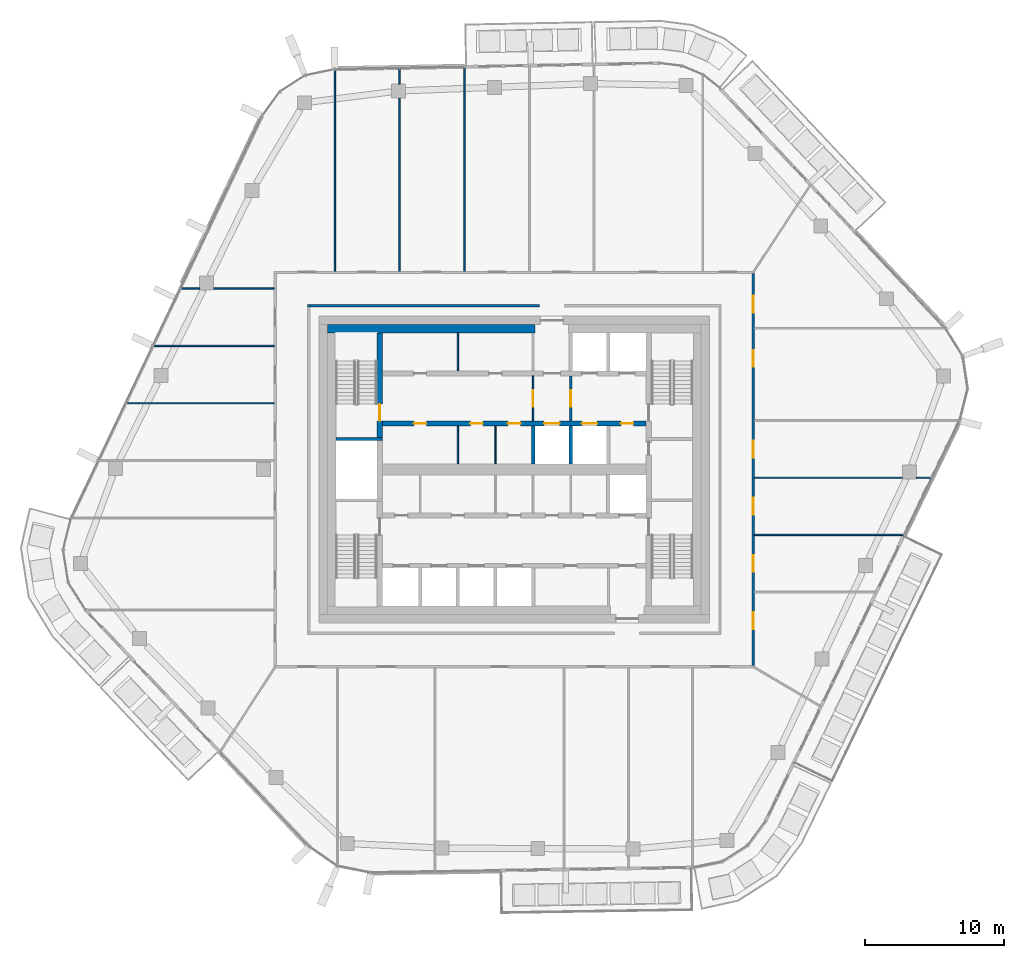
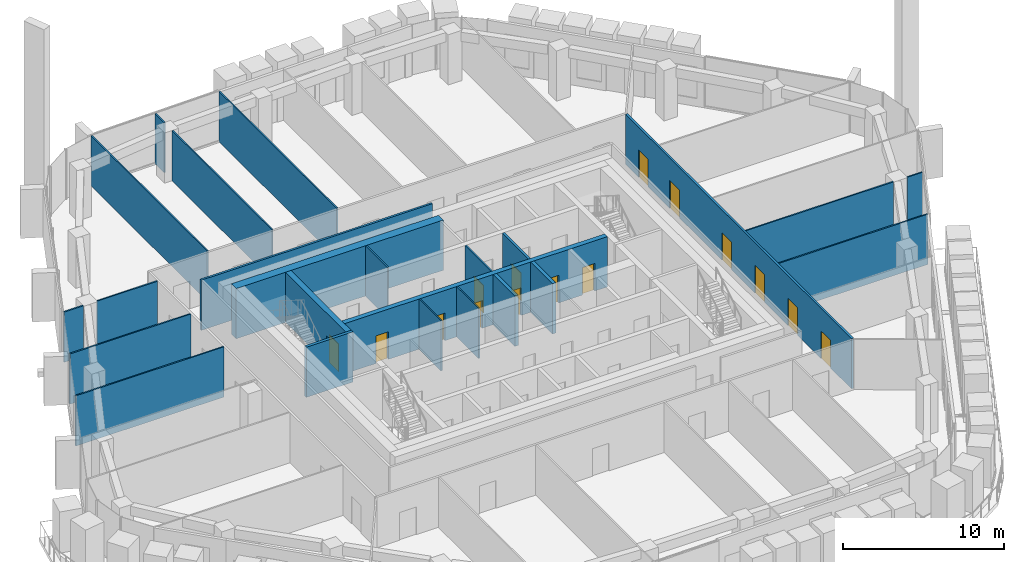
# One storey, part 15 of 24: 24 walls, 15 doors, 15 openings.
"""IFC4 building model written with IfcOpenShell, lengths in metres."""

import ifcopenshell
import ifcopenshell.guid

model = None  # the IFC model being written
_history = None  # IfcOwnerHistory: only IFC2X3 demands one
_inside = {}  # id of a spatial element -> (the spatial element, [elements in it])
_under = {}  # id of a project, library or spatial element -> (it, [spatial elements below it])
_declared = {}  # id of a project -> (the project, [libraries it declares])
_typed = {}  # id of a type object -> (the type object, [elements of that type])
_made_of = {}  # id of a material, layer set ... -> (it, [elements and type objects made of it])


def new_model(schema):
    """Start an empty IFC model of exactly this schema.

    Asked for "IFC4X3", IfcOpenShell would pick the latest addendum, in which some entities
    have other attributes; the version numbers below select the first issue.
    IFC2X3 requires an IfcOwnerHistory on every rooted entity: one is made here for all.
    """
    global model, _history
    if schema == "IFC4X3":
        model = ifcopenshell.file(schema_version=(4, 3, 0, 0))
    else:
        model = ifcopenshell.file(schema=schema)
    _inside.clear()
    _under.clear()
    _declared.clear()
    _typed.clear()
    _made_of.clear()
    _history = None
    if model.schema == "IFC2X3":
        org = make("IfcOrganization", Name="unknown")
        user = make(
            "IfcPersonAndOrganization",
            ThePerson=make("IfcPerson", FamilyName="unknown"),
            TheOrganization=org,
        )
        app = make(
            "IfcApplication",
            ApplicationDeveloper=org,
            Version="unknown",
            ApplicationFullName="unknown",
            ApplicationIdentifier="unknown",
        )
        _history = make(
            "IfcOwnerHistory",
            OwningUser=user,
            OwningApplication=app,
            ChangeAction="ADDED",
            CreationDate=0,
        )
    return model


def make(cls, **values):
    """One entity of the class cls with the attributes given. An attribute that is None is left unset."""
    return model.create_entity(
        cls, **{name: value for name, value in values.items() if value is not None}
    )


def rooted(cls, **values):
    """An entity with a GlobalId (a new one), such as an element, a storey or a relation."""
    return make(cls, GlobalId=ifcopenshell.guid.new(), OwnerHistory=_history, **values)


def si_unit(unit_type, name, prefix=None):
    """IfcSIUnit, for example si_unit("LENGTHUNIT", "METRE", prefix="MILLI")."""
    return make("IfcSIUnit", UnitType=unit_type, Prefix=prefix, Name=name)


def assignment(units):
    """IfcUnitAssignment: the units of a project."""
    return None if units is None else make("IfcUnitAssignment", Units=units)


def point(xyz):
    """IfcCartesianPoint."""
    return None if xyz is None else make("IfcCartesianPoint", Coordinates=xyz)


def direction(xyz):
    """IfcDirection."""
    return None if xyz is None else make("IfcDirection", DirectionRatios=xyz)


def frame(location, z_axis=None, x_axis=None):
    """IfcAxis2Placement3D, a coordinate frame: its origin and axes. An axis left out is left unset."""
    return make(
        "IfcAxis2Placement3D",
        Location=point(location),
        Axis=direction(z_axis),
        RefDirection=direction(x_axis),
    )


def frame_2d(location, x_axis=None):
    """IfcAxis2Placement2D, a coordinate frame in the plane: its origin and x axis."""
    return make(
        "IfcAxis2Placement2D", Location=point(location), RefDirection=direction(x_axis)
    )


def origin():
    """The frame at (0, 0, 0) with its axes left unset."""
    return frame((0.0, 0.0, 0.0))


def place(relative_to, where):
    """IfcLocalPlacement: puts the frame where relative to a parent placement (None: the world)."""
    return make(
        "IfcLocalPlacement", PlacementRelTo=relative_to, RelativePlacement=where
    )


def context(
    kind, dimensions, precision=None, world=None, true_north=None, identifier=None
):
    """IfcGeometricRepresentationContext, for example the 3D "Model" context."""
    return make(
        "IfcGeometricRepresentationContext",
        ContextIdentifier=identifier,
        ContextType=kind,
        CoordinateSpaceDimension=dimensions,
        Precision=precision,
        WorldCoordinateSystem=world,
        TrueNorth=true_north,
    )


def subcontext(parent, identifier, kind, view, scale=None):
    """IfcGeometricRepresentationSubContext, for example "Body" below "Model"."""
    return make(
        "IfcGeometricRepresentationSubContext",
        ContextIdentifier=identifier,
        ContextType=kind,
        ParentContext=parent,
        TargetScale=scale,
        TargetView=view,
    )


def project(units=None, contexts=None):
    """IfcProject with its units and contexts."""
    return rooted(
        "IfcProject",
        Name="project",
        RepresentationContexts=contexts,
        UnitsInContext=assignment(units),
    )


def spatial(cls, under=None, at=None, **own):
    """A site, building, storey or space (cls), placed at a placement, below another one or the project."""
    s = rooted(cls, ObjectPlacement=at, **own)
    if under is not None:
        _under.setdefault(under.id(), (under, []))[1].append(s)
    return s


def profile(cls, at=None, kind="AREA", **sizes):
    """A parametric profile (cls). Its sizes go by their IFC names, for example OverallWidth=200.0."""
    return make(cls, ProfileType=kind, Position=at, **sizes)


def rectangle(**sizes):
    """IfcRectangleProfileDef."""
    return profile("IfcRectangleProfileDef", **sizes)


def extrude(swept, where, along, depth):
    """IfcExtrudedAreaSolid: the profile swept, set in the frame where, extruded along a direction by depth."""
    return make(
        "IfcExtrudedAreaSolid",
        SweptArea=swept,
        Position=where,
        ExtrudedDirection=direction(along),
        Depth=depth,
    )


def shape(context_of_items, identifier, shape_type, items):
    """IfcShapeRepresentation: the items that make up one representation, for example the "Body"."""
    return make(
        "IfcShapeRepresentation",
        ContextOfItems=context_of_items,
        RepresentationIdentifier=identifier,
        RepresentationType=shape_type,
        Items=items,
    )


def material(Name=None, Category=None):
    """IfcMaterial."""
    return make("IfcMaterial", Name=Name, Category=Category)


def layer(
    of_material, thickness, ventilated=None, Name=None, Category=None, Priority=None
):
    """IfcMaterialLayer: one layer of a wall or slab, of a material (None: an air gap)."""
    return make(
        "IfcMaterialLayer",
        Material=of_material,
        LayerThickness=thickness,
        IsVentilated=ventilated,
        Name=Name,
        Category=Category,
        Priority=Priority,
    )


def layer_set(layers, Name=None):
    """IfcMaterialLayerSet."""
    return make("IfcMaterialLayerSet", MaterialLayers=layers, LayerSetName=Name)


def made_of(thing, what):
    """Note that an element or type object is made of a material, layer set ...; save() writes the relation."""
    if what is not None:
        _made_of.setdefault(what.id(), (what, []))[1].append(thing)
    return thing


def type_object(cls, material=None, **own):
    """A type object (cls), such as IfcWallType, which elements share."""
    return made_of(rooted(cls, **own), material)


def element(
    cls,
    number,
    at=None,
    inside=None,
    cuts=None,
    type_object=None,
    material=None,
    context=None,
    identifier="Body",
    shape_type=None,
    held_by="IfcProductDefinitionShape",
    body=None,
    shapes=None,
    **own,
):
    """One element of the class cls, such as IfcWall. Its Tag is "e" and its number.

    at: its placement. inside: the storey or other place that contains it. cuts: it is an
    opening in that element (IfcRelVoidsElement). A single representation is given by context,
    identifier, shape_type and body (its items); several are given by shapes. held_by: the class
    of the entity that holds the representations. save() writes the other relations.
    """
    e = rooted(cls, Tag="e%d" % number, ObjectPlacement=at, **own)
    if body is not None:
        shapes = [shape(context, identifier, shape_type, body)]
    if shapes is not None:
        e.Representation = make(held_by, Representations=shapes)
    if inside is not None:
        _inside.setdefault(inside.id(), (inside, []))[1].append(e)
    if cuts is not None:
        rooted(
            "IfcRelVoidsElement", RelatingBuildingElement=cuts, RelatedOpeningElement=e
        )
    if type_object is not None:
        _typed.setdefault(type_object.id(), (type_object, []))[1].append(e)
    return made_of(e, material)


def fill(opening, filler):
    """IfcRelFillsElement: the door or window that sits in an opening."""
    return rooted(
        "IfcRelFillsElement",
        RelatingOpeningElement=opening,
        RelatedBuildingElement=filler,
    )


def aggregate(whole, parts):
    """IfcRelAggregates: a whole, such as a stair, and the parts it consists of."""
    return rooted("IfcRelAggregates", RelatingObject=whole, RelatedObjects=parts)


def save(model, path):
    """Write the relations noted so far, then the file.

    IfcRelAggregates (storeys below a building ...), IfcRelContainedInSpatialStructure (elements
    in a storey), IfcRelDefinesByType, IfcRelAssociatesMaterial and IfcRelDeclares: one each for
    every whole, place, type object, material and project.
    """
    for whole, parts in _under.values():
        aggregate(whole, parts)
    for where, things in _inside.values():
        rooted(
            "IfcRelContainedInSpatialStructure",
            RelatedElements=things,
            RelatingStructure=where,
        )
    for kind, things in _typed.values():
        rooted("IfcRelDefinesByType", RelatedObjects=things, RelatingType=kind)
    for what, things in _made_of.values():
        rooted("IfcRelAssociatesMaterial", RelatedObjects=things, RelatingMaterial=what)
    for by, libraries in _declared.values():
        rooted("IfcRelDeclares", RelatingContext=by, RelatedDefinitions=libraries)
    model.write(path)


model = new_model("IFC4")

# Units and contexts
model_context = context("Model", 3, precision=1e-05, world=origin(), true_north=direction((0.0, 1.0)))
body_context = subcontext(model_context, "Body", "Model", "MODEL_VIEW")
ifc_project = project(units=[si_unit("LENGTHUNIT", "METRE"), si_unit("AREAUNIT", "SQUARE_METRE"), si_unit("VOLUMEUNIT", "CUBIC_METRE"), si_unit("PLANEANGLEUNIT", "RADIAN"), si_unit("MASSUNIT", "GRAM", prefix="KILO")], contexts=[model_context])

# Site, building, storey
site_placement = place(None, origin())
site = spatial("IfcSite", under=ifc_project, at=site_placement, CompositionType="ELEMENT")
building_placement = place(site_placement, origin())
building = spatial("IfcBuilding", under=site, at=building_placement, Name="Dongbaek Canopy Tower", CompositionType="ELEMENT")
storey_placement = place(building_placement, frame((0.0, 0.0, 294.199951171875)))
storey = spatial("IfcBuildingStorey", under=building, at=storey_placement, Name="L62", CompositionType="ELEMENT", Elevation=294.199951171875)

# Wall, openings, doors
ifc_material_1 = material(Name="Concrete C60/75", Category="concrete")
ifc_layer_1 = layer(ifc_material_1, 0.35009765625)
ifc_layer_set_1 = layer_set([ifc_layer_1], Name="Core lobby wall 350 Concrete C60/75")
wall_type_1 = type_object("IfcWallType", Name="Core lobby wall 350 Concrete C60/75", PredefinedType="SHEAR", material=ifc_layer_set_1)
wall_1_placement = place(storey_placement, frame((9.449951171875, 3.300048828125, 0.0), z_axis=(0.0, 0.0, 1.0), x_axis=(-1.0, 0.0, 0.0)))
wall_1 = element("IfcWall", 1, at=wall_1_placement, inside=storey, type_object=wall_type_1, Name="Core wall", PredefinedType="SHEAR", context=body_context, shape_type="SweptSolid", body=[
    extrude(rectangle(XDim=18.89990234375, YDim=0.35009765625, at=frame_2d((9.449951171875, 0.0))), origin(), (0.0, 0.0, 1.0), 3.820068359375),
])
opening_1_placement = place(wall_1_placement, frame((6.199951171875, 0.0, 0.0)))
opening_1 = element("IfcOpeningElement", 2, at=opening_1_placement, cuts=wall_1, Name="Opening L62-D031", PredefinedType="OPENING", context=body_context, shape_type="SweptSolid", body=[
    extrude(rectangle(XDim=1.10009765625, YDim=2.10009765625, at=frame_2d((0.550048828125, 1.050048828125))), frame((0.0, 0.18505859375, 0.0), z_axis=(0.0, -1.0, 0.0), x_axis=(1.0, 0.0, 0.0)), (0.0, 0.0, 1.0), 0.3701171875),
])
opening_2_placement = place(wall_1_placement, frame((3.5, 0.0, 0.0)))
opening_2 = element("IfcOpeningElement", 3, at=opening_2_placement, cuts=wall_1, Name="Opening L62-D032", PredefinedType="OPENING", context=body_context, shape_type="SweptSolid", body=[
    extrude(rectangle(XDim=1.10009765625, YDim=2.10009765625, at=frame_2d((0.550048828125, 1.050048828125))), frame((0.0, 0.18505859375, 0.0), z_axis=(0.0, -1.0, 0.0), x_axis=(1.0, 0.0, 0.0)), (0.0, 0.0, 1.0), 0.3701171875),
])
opening_3_placement = place(wall_1_placement, frame((0.89990234375, 0.0, 0.0)))
opening_3 = element("IfcOpeningElement", 4, at=opening_3_placement, cuts=wall_1, Name="Opening L62-D033", PredefinedType="OPENING", context=body_context, shape_type="SweptSolid", body=[
    extrude(rectangle(XDim=0.89990234375, YDim=2.10009765625, at=frame_2d((0.449951171875, 1.050048828125))), frame((0.0, 0.18505859375, 0.0), z_axis=(0.0, -1.0, 0.0), x_axis=(1.0, 0.0, 0.0)), (0.0, 0.0, 1.0), 0.3701171875),
])
opening_4_placement = place(wall_1_placement, frame((15.75, 0.0, 0.0)))
opening_4 = element("IfcOpeningElement", 5, at=opening_4_placement, cuts=wall_1, Name="Opening L62-D043", PredefinedType="OPENING", context=body_context, shape_type="SweptSolid", body=[
    extrude(rectangle(XDim=0.89990234375, YDim=2.10009765625, at=frame_2d((0.449951171875, 1.050048828125))), frame((0.0, 0.18505859375, 0.0), z_axis=(0.0, -1.0, 0.0), x_axis=(1.0, 0.0, 0.0)), (0.0, 0.0, 1.0), 0.3701171875),
])
opening_5_placement = place(wall_1_placement, frame((11.699951171875, 0.0, 0.0)))
opening_5 = element("IfcOpeningElement", 6, at=opening_5_placement, cuts=wall_1, Name="Opening L62-D044", PredefinedType="OPENING", context=body_context, shape_type="SweptSolid", body=[
    extrude(rectangle(XDim=0.89990234375, YDim=2.10009765625, at=frame_2d((0.449951171875, 1.050048828125))), frame((0.0, 0.18505859375, 0.0), z_axis=(0.0, -1.0, 0.0), x_axis=(1.0, 0.0, 0.0)), (0.0, 0.0, 1.0), 0.3701171875),
])
opening_6_placement = place(wall_1_placement, frame((9.0, 0.0, 0.0)))
opening_6 = element("IfcOpeningElement", 7, at=opening_6_placement, cuts=wall_1, Name="Opening L62-D045", PredefinedType="OPENING", context=body_context, shape_type="SweptSolid", body=[
    extrude(rectangle(XDim=0.89990234375, YDim=2.10009765625, at=frame_2d((0.449951171875, 1.050048828125))), frame((0.0, 0.18505859375, 0.0), z_axis=(0.0, -1.0, 0.0), x_axis=(1.0, 0.0, 0.0)), (0.0, 0.0, 1.0), 0.3701171875),
])
ifc_material_2 = material(Name="Steel", Category="steel")
door_type_1 = type_object("IfcDoorType", Name="Core room door 900 x 2100", OperationType="SINGLE_SWING_LEFT", PredefinedType="DOOR", material=ifc_material_2)
door_1_placement = place(opening_3_placement, origin())
door_1 = element("IfcDoor", 8, at=door_1_placement, inside=storey, type_object=door_type_1, Name="Door L62-D033", OperationType="SINGLE_SWING_LEFT", OverallHeight=2.10009765625, OverallWidth=0.89990234375, PredefinedType="DOOR", context=body_context, shape_type="SweptSolid", body=[
    extrude(rectangle(XDim=0.89990234375, YDim=2.10009765625, at=frame_2d((0.449951171875, 1.050048828125))), frame((0.0, 0.02490234375, 0.0), z_axis=(0.0, -1.0, 0.0), x_axis=(1.0, 0.0, 0.0)), (0.0, 0.0, 1.0), 0.050048828125),
])
fill(opening_3, door_1)
door_2_placement = place(opening_4_placement, origin())
door_2 = element("IfcDoor", 9, at=door_2_placement, inside=storey, type_object=door_type_1, Name="Door L62-D043", OperationType="SINGLE_SWING_RIGHT", OverallHeight=2.10009765625, OverallWidth=0.89990234375, PredefinedType="DOOR", context=body_context, shape_type="SweptSolid", body=[
    extrude(rectangle(XDim=0.89990234375, YDim=2.10009765625, at=frame_2d((0.449951171875, 1.050048828125))), frame((0.0, 0.02490234375, 0.0), z_axis=(0.0, -1.0, 0.0), x_axis=(1.0, 0.0, 0.0)), (0.0, 0.0, 1.0), 0.050048828125),
])
fill(opening_4, door_2)
door_3_placement = place(opening_5_placement, origin())
door_3 = element("IfcDoor", 10, at=door_3_placement, inside=storey, type_object=door_type_1, Name="Door L62-D044", OperationType="SINGLE_SWING_LEFT", OverallHeight=2.10009765625, OverallWidth=0.89990234375, PredefinedType="DOOR", context=body_context, shape_type="SweptSolid", body=[
    extrude(rectangle(XDim=0.89990234375, YDim=2.10009765625, at=frame_2d((0.449951171875, 1.050048828125))), frame((0.0, 0.02490234375, 0.0), z_axis=(0.0, -1.0, 0.0), x_axis=(1.0, 0.0, 0.0)), (0.0, 0.0, 1.0), 0.050048828125),
])
fill(opening_5, door_3)
door_4_placement = place(opening_6_placement, origin())
door_4 = element("IfcDoor", 11, at=door_4_placement, inside=storey, type_object=door_type_1, Name="Door L62-D045", OperationType="SINGLE_SWING_RIGHT", OverallHeight=2.10009765625, OverallWidth=0.89990234375, PredefinedType="DOOR", context=body_context, shape_type="SweptSolid", body=[
    extrude(rectangle(XDim=0.89990234375, YDim=2.10009765625, at=frame_2d((0.449951171875, 1.050048828125))), frame((0.0, 0.02490234375, 0.0), z_axis=(0.0, -1.0, 0.0), x_axis=(1.0, 0.0, 0.0)), (0.0, 0.0, 1.0), 0.050048828125),
])
fill(opening_6, door_4)
ifc_material_3 = material(Name="Stainless steel", Category="steel")
door_type_2 = type_object("IfcDoorType", Name="Lift landing door 1100 x 2100", OperationType="DOUBLE_DOOR_SLIDING", PredefinedType="DOOR", material=ifc_material_3)
door_5_placement = place(opening_1_placement, origin())
door_5 = element("IfcDoor", 12, at=door_5_placement, inside=storey, type_object=door_type_2, Name="Landing door SV1", OperationType="DOUBLE_DOOR_SLIDING", OverallHeight=2.10009765625, OverallWidth=1.10009765625, PredefinedType="DOOR", context=body_context, shape_type="SweptSolid", body=[
    extrude(rectangle(XDim=1.10009765625, YDim=2.10009765625, at=frame_2d((0.550048828125, 1.050048828125))), frame((0.0, 0.02490234375, 0.0), z_axis=(0.0, -1.0, 0.0), x_axis=(1.0, 0.0, 0.0)), (0.0, 0.0, 1.0), 0.050048828125),
])
fill(opening_1, door_5)
door_6_placement = place(opening_2_placement, origin())
door_6 = element("IfcDoor", 13, at=door_6_placement, inside=storey, type_object=door_type_2, Name="Landing door FF3", OperationType="DOUBLE_DOOR_SLIDING", OverallHeight=2.10009765625, OverallWidth=1.10009765625, PredefinedType="DOOR", context=body_context, shape_type="SweptSolid", body=[
    extrude(rectangle(XDim=1.10009765625, YDim=2.10009765625, at=frame_2d((0.550048828125, 1.050048828125))), frame((0.0, 0.02490234375, 0.0), z_axis=(0.0, -1.0, 0.0), x_axis=(1.0, 0.0, 0.0)), (0.0, 0.0, 1.0), 0.050048828125),
])
fill(opening_2, door_6)

# Walls
ifc_material_4 = material(Name="Concrete C60/75", Category="concrete")
ifc_layer_2 = layer(ifc_material_4, 0.60009765625)
ifc_layer_set_2 = layer_set([ifc_layer_2], Name="Core wall lining 600 Concrete C60/75")
wall_type_2 = type_object("IfcWallType", Name="Core wall lining 600 Concrete C60/75", PredefinedType="SHEAR", material=ifc_layer_set_2)
wall_2_placement = place(storey_placement, frame((-13.39990234375, 10.10009765625, 0.0), z_axis=(0.0, 0.0, 1.0), x_axis=(1.0, 0.0, 0.0)))
element("IfcWall", 14, at=wall_2_placement, inside=storey, type_object=wall_type_2, Name="Core wall lining", PredefinedType="SHEAR", context=body_context, shape_type="SweptSolid", body=[
    extrude(rectangle(XDim=14.89990234375, YDim=0.60009765625, at=frame_2d((7.449951171875, 0.0))), origin(), (0.0, 0.0, 1.0), 3.820068359375),
])
ifc_material_5 = material(Name="Gypsum board partition, steel stud, 2 x 15 mm fire board", Category="steel")
ifc_layer_3 = layer(ifc_material_5, 0.14990234375)
ifc_layer_set_3 = layer_set([ifc_layer_3], Name="Fire-rated partition 150 gypsum board")
wall_type_3 = type_object("IfcWallType", Name="Fire-rated partition 150 gypsum board", PredefinedType="PARTITIONING", material=ifc_layer_set_3)
wall_3_placement = place(storey_placement, frame((-14.824951171875, 11.75, 0.0), z_axis=(0.0, 0.0, 1.0), x_axis=(1.0, 0.0, 0.0)))
element("IfcWall", 15, at=wall_3_placement, inside=storey, type_object=wall_type_3, Name="Corridor partition", PredefinedType="PARTITIONING", context=body_context, shape_type="SweptSolid", body=[
    extrude(rectangle(XDim=16.625, YDim=0.14990234375, at=frame_2d((8.3125, 0.0))), origin(), (0.0, 0.0, 1.0), 3.820068359375),
])

# Wall, openings, doors
wall_4_placement = place(storey_placement, frame((17.14990234375, 14.074951171875, 0.0), z_axis=(0.0, 0.0, 1.0), x_axis=(0.0, -1.0, 0.0)))
wall_4 = element("IfcWall", 16, at=wall_4_placement, inside=storey, type_object=wall_type_3, Name="Corridor partition", PredefinedType="PARTITIONING", context=body_context, shape_type="SweptSolid", body=[
    extrude(rectangle(XDim=28.14990234375, YDim=0.14990234375, at=frame_2d((14.074951171875, 0.0))), origin(), (0.0, 0.0, 1.0), 3.820068359375),
])
opening_7_placement = place(wall_4_placement, frame((24.325927734375, 0.0, 0.0)))
opening_7 = element("IfcOpeningElement", 17, at=opening_7_placement, cuts=wall_4, Name="Opening L62-D010", PredefinedType="OPENING", context=body_context, shape_type="SweptSolid", body=[
    extrude(rectangle(XDim=1.199951171875, YDim=2.10009765625, at=frame_2d((0.60009765625, 1.050048828125))), frame((0.0, 0.0849609375, 0.0), z_axis=(0.0, -1.0, 0.0), x_axis=(1.0, 0.0, 0.0)), (0.0, 0.0, 1.0), 0.169921875),
])
opening_8_placement = place(wall_4_placement, frame((20.219970703125, 0.0, 0.0)))
opening_8 = element("IfcOpeningElement", 18, at=opening_8_placement, cuts=wall_4, Name="Opening L62-D011", PredefinedType="OPENING", context=body_context, shape_type="SweptSolid", body=[
    extrude(rectangle(XDim=1.199951171875, YDim=2.10009765625, at=frame_2d((0.60009765625, 1.050048828125))), frame((0.0, 0.0849609375, 0.0), z_axis=(0.0, -1.0, 0.0), x_axis=(1.0, 0.0, 0.0)), (0.0, 0.0, 1.0), 0.169921875),
])
opening_9_placement = place(wall_4_placement, frame((16.114013671875, 0.0, 0.0)))
opening_9 = element("IfcOpeningElement", 19, at=opening_9_placement, cuts=wall_4, Name="Opening L62-D012", PredefinedType="OPENING", context=body_context, shape_type="SweptSolid", body=[
    extrude(rectangle(XDim=1.199951171875, YDim=2.10009765625, at=frame_2d((0.60009765625, 1.050048828125))), frame((0.0, 0.0849609375, 0.0), z_axis=(0.0, -1.0, 0.0), x_axis=(1.0, 0.0, 0.0)), (0.0, 0.0, 1.0), 0.169921875),
])
opening_10_placement = place(wall_4_placement, frame((12.012451171875, 0.0, 0.0)))
opening_10 = element("IfcOpeningElement", 20, at=opening_10_placement, cuts=wall_4, Name="Opening L62-D013", PredefinedType="OPENING", context=body_context, shape_type="SweptSolid", body=[
    extrude(rectangle(XDim=1.199951171875, YDim=2.10009765625, at=frame_2d((0.60009765625, 1.050048828125))), frame((0.0, 0.0849609375, 0.0), z_axis=(0.0, -1.0, 0.0), x_axis=(1.0, 0.0, 0.0)), (0.0, 0.0, 1.0), 0.169921875),
])
opening_11_placement = place(wall_4_placement, frame((5.50439453125, 0.0, 0.0)))
opening_11 = element("IfcOpeningElement", 21, at=opening_11_placement, cuts=wall_4, Name="Opening L62-D014", PredefinedType="OPENING", context=body_context, shape_type="SweptSolid", body=[
    extrude(rectangle(XDim=1.199951171875, YDim=2.10009765625, at=frame_2d((0.60009765625, 1.050048828125))), frame((0.0, 0.0849609375, 0.0), z_axis=(0.0, -1.0, 0.0), x_axis=(1.0, 0.0, 0.0)), (0.0, 0.0, 1.0), 0.169921875),
])
opening_12_placement = place(wall_4_placement, frame((1.6220703125, 0.0, 0.0)))
opening_12 = element("IfcOpeningElement", 22, at=opening_12_placement, cuts=wall_4, Name="Opening L62-D015", PredefinedType="OPENING", context=body_context, shape_type="SweptSolid", body=[
    extrude(rectangle(XDim=1.199951171875, YDim=2.10009765625, at=frame_2d((0.60009765625, 1.050048828125))), frame((0.0, 0.0849609375, 0.0), z_axis=(0.0, -1.0, 0.0), x_axis=(1.0, 0.0, 0.0)), (0.0, 0.0, 1.0), 0.169921875),
])
ifc_material_6 = material(Name="Timber veneered door leaf", Category="wood")
door_type_3 = type_object("IfcDoorType", Name="Room door 1200 x 2100", OperationType="SINGLE_SWING_LEFT", PredefinedType="DOOR", material=ifc_material_6)
door_7_placement = place(opening_7_placement, origin())
door_7 = element("IfcDoor", 23, at=door_7_placement, inside=storey, type_object=door_type_3, Name="Door L62-D010", OperationType="SINGLE_SWING_LEFT", OverallHeight=2.10009765625, OverallWidth=1.199951171875, PredefinedType="DOOR", context=body_context, shape_type="SweptSolid", body=[
    extrude(rectangle(XDim=1.199951171875, YDim=2.10009765625, at=frame_2d((0.60009765625, 1.050048828125))), frame((0.0, 0.02490234375, 0.0), z_axis=(0.0, -1.0, 0.0), x_axis=(1.0, 0.0, 0.0)), (0.0, 0.0, 1.0), 0.050048828125),
])
fill(opening_7, door_7)
door_8_placement = place(opening_8_placement, origin())
door_8 = element("IfcDoor", 24, at=door_8_placement, inside=storey, type_object=door_type_3, Name="Door L62-D011", OperationType="SINGLE_SWING_RIGHT", OverallHeight=2.10009765625, OverallWidth=1.199951171875, PredefinedType="DOOR", context=body_context, shape_type="SweptSolid", body=[
    extrude(rectangle(XDim=1.199951171875, YDim=2.10009765625, at=frame_2d((0.60009765625, 1.050048828125))), frame((0.0, 0.02490234375, 0.0), z_axis=(0.0, -1.0, 0.0), x_axis=(1.0, 0.0, 0.0)), (0.0, 0.0, 1.0), 0.050048828125),
])
fill(opening_8, door_8)
door_9_placement = place(opening_9_placement, origin())
door_9 = element("IfcDoor", 25, at=door_9_placement, inside=storey, type_object=door_type_3, Name="Door L62-D012", OperationType="SINGLE_SWING_LEFT", OverallHeight=2.10009765625, OverallWidth=1.199951171875, PredefinedType="DOOR", context=body_context, shape_type="SweptSolid", body=[
    extrude(rectangle(XDim=1.199951171875, YDim=2.10009765625, at=frame_2d((0.60009765625, 1.050048828125))), frame((0.0, 0.02490234375, 0.0), z_axis=(0.0, -1.0, 0.0), x_axis=(1.0, 0.0, 0.0)), (0.0, 0.0, 1.0), 0.050048828125),
])
fill(opening_9, door_9)
door_10_placement = place(opening_10_placement, origin())
door_10 = element("IfcDoor", 26, at=door_10_placement, inside=storey, type_object=door_type_3, Name="Door L62-D013", OperationType="SINGLE_SWING_RIGHT", OverallHeight=2.10009765625, OverallWidth=1.199951171875, PredefinedType="DOOR", context=body_context, shape_type="SweptSolid", body=[
    extrude(rectangle(XDim=1.199951171875, YDim=2.10009765625, at=frame_2d((0.60009765625, 1.050048828125))), frame((0.0, 0.02490234375, 0.0), z_axis=(0.0, -1.0, 0.0), x_axis=(1.0, 0.0, 0.0)), (0.0, 0.0, 1.0), 0.050048828125),
])
fill(opening_10, door_10)
door_11_placement = place(opening_11_placement, origin())
door_11 = element("IfcDoor", 27, at=door_11_placement, inside=storey, type_object=door_type_3, Name="Door L62-D014", OperationType="SINGLE_SWING_LEFT", OverallHeight=2.10009765625, OverallWidth=1.199951171875, PredefinedType="DOOR", context=body_context, shape_type="SweptSolid", body=[
    extrude(rectangle(XDim=1.199951171875, YDim=2.10009765625, at=frame_2d((0.60009765625, 1.050048828125))), frame((0.0, 0.02490234375, 0.0), z_axis=(0.0, -1.0, 0.0), x_axis=(1.0, 0.0, 0.0)), (0.0, 0.0, 1.0), 0.050048828125),
])
fill(opening_11, door_11)
door_12_placement = place(opening_12_placement, origin())
door_12 = element("IfcDoor", 28, at=door_12_placement, inside=storey, type_object=door_type_3, Name="Door L62-D015", OperationType="SINGLE_SWING_RIGHT", OverallHeight=2.10009765625, OverallWidth=1.199951171875, PredefinedType="DOOR", context=body_context, shape_type="SweptSolid", body=[
    extrude(rectangle(XDim=1.199951171875, YDim=2.10009765625, at=frame_2d((0.60009765625, 1.050048828125))), frame((0.0, 0.02490234375, 0.0), z_axis=(0.0, -1.0, 0.0), x_axis=(1.0, 0.0, 0.0)), (0.0, 0.0, 1.0), 0.050048828125),
])
fill(opening_12, door_12)

# Wall, opening, door
wall_5_placement = place(storey_placement, frame((4.050048828125, 6.72509765625, 0.0), z_axis=(0.0, 0.0, 1.0), x_axis=(0.0, -1.0, 0.0)))
wall_5 = element("IfcWall", 29, at=wall_5_placement, inside=storey, type_object=wall_type_3, Name="Fire lobby partition", PredefinedType="PARTITIONING", context=body_context, shape_type="SweptSolid", body=[
    extrude(rectangle(XDim=3.25, YDim=0.14990234375, at=frame_2d((1.625, 0.0))), origin(), (0.0, 0.0, 1.0), 3.820068359375),
])
opening_13_placement = place(wall_5_placement, frame((1.02490234375, 0.0, 0.0)))
opening_13 = element("IfcOpeningElement", 30, at=opening_13_placement, cuts=wall_5, Name="Opening L62-D057", PredefinedType="OPENING", context=body_context, shape_type="SweptSolid", body=[
    extrude(rectangle(XDim=1.199951171875, YDim=2.10009765625, at=frame_2d((0.60009765625, 1.050048828125))), frame((0.0, 0.0849609375, 0.0), z_axis=(0.0, -1.0, 0.0), x_axis=(1.0, 0.0, 0.0)), (0.0, 0.0, 1.0), 0.169921875),
])
ifc_material_7 = material(Name="Steel", Category="steel")
door_type_4 = type_object("IfcDoorType", Name="Fire lobby door 1200 x 2100", OperationType="SINGLE_SWING_LEFT", PredefinedType="DOOR", material=ifc_material_7)
door_13_placement = place(opening_13_placement, origin())
door_13 = element("IfcDoor", 31, at=door_13_placement, inside=storey, type_object=door_type_4, Name="Door L62-D057", OperationType="SINGLE_SWING_RIGHT", OverallHeight=2.10009765625, OverallWidth=1.199951171875, PredefinedType="DOOR", context=body_context, shape_type="SweptSolid", body=[
    extrude(rectangle(XDim=1.199951171875, YDim=2.10009765625, at=frame_2d((0.60009765625, 1.050048828125))), frame((0.0, 0.02490234375, 0.0), z_axis=(0.0, -1.0, 0.0), x_axis=(1.0, 0.0, 0.0)), (0.0, 0.0, 1.0), 0.050048828125),
])
fill(opening_13, door_13)

# Walls
ifc_material_8 = material(Name="Concrete C40/50", Category="concrete")
ifc_layer_4 = layer(ifc_material_8, 0.25)
ifc_layer_set_4 = layer_set([ifc_layer_4], Name="Lift shaft wall 250 Concrete C40/50")
wall_type_4 = type_object("IfcWallType", Name="Lift shaft wall 250 Concrete C40/50", PredefinedType="SOLIDWALL", material=ifc_layer_set_4)
for number, where, z_axis, x_axis, name in (
    (32, (4.050048828125, 0.39990234375, 0.0), (0.0, 0.0, 1.0), (0.0, 1.0, 0.0), "Lift shaft wall"),
    (33, (1.35009765625, 0.39990234375, 0.0), (0.0, 0.0, 1.0), (0.0, 1.0, 0.0), "Lift shaft wall"),
):
    element("IfcWall", number, at=place(storey_placement, frame(where, z_axis=z_axis, x_axis=x_axis)), inside=storey, type_object=wall_type_4, Name=name, PredefinedType="SOLIDWALL", context=body_context, shape_type="SweptSolid", body=[
        extrude(rectangle(XDim=2.72509765625, YDim=0.25, at=frame_2d((1.362548828125, 0.0))), origin(), (0.0, 0.0, 1.0), 3.820068359375),
    ])
ifc_material_9 = material(Name="Gypsum board partition, steel stud, 2 x 12.5 mm board", Category="steel")
ifc_layer_5 = layer(ifc_material_9, 0.10009765625)
ifc_layer_set_5 = layer_set([ifc_layer_5], Name="Partition 100 gypsum board")
wall_type_5 = type_object("IfcWallType", Name="Partition 100 gypsum board", PredefinedType="PARTITIONING", material=ifc_layer_set_5)
wall_6_placement = place(storey_placement, frame((17.22509765625, -4.69189453125, 0.0), z_axis=(0.0, 0.0, 1.0), x_axis=(1.0, 0.0, 0.0)))
element("IfcWall", 34, at=wall_6_placement, inside=storey, type_object=wall_type_5, Name="Partition", PredefinedType="PARTITIONING", context=body_context, shape_type="SweptSolid", body=[
    extrude(rectangle(XDim=10.723388671875, YDim=0.10009765625, at=frame_2d((5.36181640625, 0.0))), origin(), (0.0, 0.0, 1.0), 3.820068359375),
])
wall_7_placement = place(storey_placement, frame((17.22509765625, -0.5859375, 0.0), z_axis=(0.0, 0.0, 1.0), x_axis=(1.0, 0.0, 0.0)))
element("IfcWall", 35, at=wall_7_placement, inside=storey, type_object=wall_type_5, Name="Partition", PredefinedType="PARTITIONING", context=body_context, shape_type="SweptSolid", body=[
    extrude(rectangle(XDim=10.6259765625, YDim=0.10009765625, at=frame_2d((5.31298828125, 0.0))), origin(), (0.0, 0.0, 1.0), 3.820068359375),
])
wall_8_placement = place(storey_placement, frame((28.85107421875, -0.5859375, 0.0), z_axis=(0.0, 0.0, 1.0), x_axis=(1.0, 0.0, 0.0)))
element("IfcWall", 36, at=wall_8_placement, inside=storey, type_object=wall_type_5, Name="Partition", PredefinedType="PARTITIONING", context=body_context, shape_type="SweptSolid", body=[
    extrude(rectangle(XDim=1.0859375, YDim=0.10009765625, at=frame_2d((0.54296875, 0.0))), origin(), (0.0, 0.0, 1.0), 3.820068359375),
])
wall_9_placement = place(storey_placement, frame((-27.86669921875, 4.7548828125, 0.0), z_axis=(0.0, 0.0, 1.0), x_axis=(1.0, 0.0, 0.0)))
element("IfcWall", 37, at=wall_9_placement, inside=storey, type_object=wall_type_5, Name="Partition", PredefinedType="PARTITIONING", context=body_context, shape_type="SweptSolid", body=[
    extrude(rectangle(XDim=10.6416015625, YDim=0.10009765625, at=frame_2d((5.32080078125, 0.0))), origin(), (0.0, 0.0, 1.0), 3.820068359375),
])
wall_10_placement = place(storey_placement, frame((-25.909423828125, 8.875, 0.0), z_axis=(0.0, 0.0, 1.0), x_axis=(1.0, 0.0, 0.0)))
element("IfcWall", 38, at=wall_10_placement, inside=storey, type_object=wall_type_5, Name="Partition", PredefinedType="PARTITIONING", context=body_context, shape_type="SweptSolid", body=[
    extrude(rectangle(XDim=8.684326171875, YDim=0.10009765625, at=frame_2d((4.34228515625, 0.0))), origin(), (0.0, 0.0, 1.0), 3.820068359375),
])
wall_11_placement = place(storey_placement, frame((-23.9521484375, 12.9951171875, 0.0), z_axis=(0.0, 0.0, 1.0), x_axis=(1.0, 0.0, 0.0)))
element("IfcWall", 39, at=wall_11_placement, inside=storey, type_object=wall_type_5, Name="Partition", PredefinedType="PARTITIONING", context=body_context, shape_type="SweptSolid", body=[
    extrude(rectangle(XDim=1.376220703125, YDim=0.10009765625, at=frame_2d((0.68798828125, 0.0))), origin(), (0.0, 0.0, 1.0), 3.820068359375),
])
wall_12_placement = place(storey_placement, frame((-21.575927734375, 12.9951171875, 0.0), z_axis=(0.0, 0.0, 1.0), x_axis=(1.0, 0.0, 0.0)))
element("IfcWall", 40, at=wall_12_placement, inside=storey, type_object=wall_type_5, Name="Partition", PredefinedType="PARTITIONING", context=body_context, shape_type="SweptSolid", body=[
    extrude(rectangle(XDim=4.350830078125, YDim=0.10009765625, at=frame_2d((2.17529296875, 0.0))), origin(), (0.0, 0.0, 1.0), 3.820068359375),
])
wall_13_placement = place(storey_placement, frame((-3.574951171875, 14.22509765625, 0.0), z_axis=(0.0, 0.0, 1.0), x_axis=(0.0, 1.0, 0.0)))
element("IfcWall", 41, at=wall_13_placement, inside=storey, type_object=wall_type_5, Name="Partition", PredefinedType="PARTITIONING", context=body_context, shape_type="SweptSolid", body=[
    extrude(rectangle(XDim=14.651611328125, YDim=0.10009765625, at=frame_2d((7.32568359375, 0.0))), origin(), (0.0, 0.0, 1.0), 3.820068359375),
])
wall_14_placement = place(storey_placement, frame((-8.22998046875, 14.22509765625, 0.0), z_axis=(0.0, 0.0, 1.0), x_axis=(0.0, 1.0, 0.0)))
element("IfcWall", 42, at=wall_14_placement, inside=storey, type_object=wall_type_5, Name="Partition", PredefinedType="PARTITIONING", context=body_context, shape_type="SweptSolid", body=[
    extrude(rectangle(XDim=12.43896484375, YDim=0.10009765625, at=frame_2d((6.219482421875, 0.0))), origin(), (0.0, 0.0, 1.0), 3.820068359375),
])
wall_15_placement = place(storey_placement, frame((-8.22998046875, 27.6640625, 0.0), z_axis=(0.0, 0.0, 1.0), x_axis=(0.0, 1.0, 0.0)))
element("IfcWall", 43, at=wall_15_placement, inside=storey, type_object=wall_type_5, Name="Partition", PredefinedType="PARTITIONING", context=body_context, shape_type="SweptSolid", body=[
    extrude(rectangle(XDim=1.124755859375, YDim=0.10009765625, at=frame_2d((0.5625, 0.0))), origin(), (0.0, 0.0, 1.0), 3.820068359375),
])
wall_16_placement = place(storey_placement, frame((-12.875, 14.22509765625, 0.0), z_axis=(0.0, 0.0, 1.0), x_axis=(0.0, 1.0, 0.0)))
element("IfcWall", 44, at=wall_16_placement, inside=storey, type_object=wall_type_5, Name="Partition", PredefinedType="PARTITIONING", context=body_context, shape_type="SweptSolid", body=[
    extrude(rectangle(XDim=14.475341796875, YDim=0.10009765625, at=frame_2d((7.23779296875, 0.0))), origin(), (0.0, 0.0, 1.0), 3.820068359375),
])

# Wall, opening, door
wall_17_placement = place(storey_placement, frame((1.35009765625, 6.72509765625, 0.0), z_axis=(0.0, 0.0, 1.0), x_axis=(0.0, -1.0, 0.0)))
wall_17 = element("IfcWall", 45, at=wall_17_placement, inside=storey, type_object=wall_type_5, Name="Core partition", PredefinedType="PARTITIONING", context=body_context, shape_type="SweptSolid", body=[
    extrude(rectangle(XDim=3.25, YDim=0.10009765625, at=frame_2d((1.625, 0.0))), origin(), (0.0, 0.0, 1.0), 3.820068359375),
])
opening_14_placement = place(wall_17_placement, frame((1.02490234375, 0.0, 0.0)))
opening_14 = element("IfcOpeningElement", 46, at=opening_14_placement, cuts=wall_17, Name="Opening L62-D056", PredefinedType="OPENING", context=body_context, shape_type="SweptSolid", body=[
    extrude(rectangle(XDim=1.199951171875, YDim=2.10009765625, at=frame_2d((0.60009765625, 1.050048828125))), frame((0.0, 0.06005859375, 0.0), z_axis=(0.0, -1.0, 0.0), x_axis=(1.0, 0.0, 0.0)), (0.0, 0.0, 1.0), 0.1201171875),
])
door_14_placement = place(opening_14_placement, origin())
door_14 = element("IfcDoor", 47, at=door_14_placement, inside=storey, type_object=door_type_4, Name="Door L62-D056", OperationType="SINGLE_SWING_LEFT", OverallHeight=2.10009765625, OverallWidth=1.199951171875, PredefinedType="DOOR", context=body_context, shape_type="SweptSolid", body=[
    extrude(rectangle(XDim=1.199951171875, YDim=2.10009765625, at=frame_2d((0.60009765625, 1.050048828125))), frame((0.0, 0.02490234375, 0.0), z_axis=(0.0, -1.0, 0.0), x_axis=(1.0, 0.0, 0.0)), (0.0, 0.0, 1.0), 0.050048828125),
])
fill(opening_14, door_14)

# Walls
for number, where, z_axis, x_axis, name in (
    (48, (-1.35009765625, 0.39990234375, 0.0), (0.0, 0.0, 1.0), (0.0, 1.0, 0.0), "Core partition"),
    (49, (-4.050048828125, 0.39990234375, 0.0), (0.0, 0.0, 1.0), (0.0, 1.0, 0.0), "Core partition"),
    (50, (-4.050048828125, 7.074951171875, 0.0), (0.0, 0.0, 1.0), (0.0, 1.0, 0.0), "Core partition"),
):
    element("IfcWall", number, at=place(storey_placement, frame(where, z_axis=z_axis, x_axis=x_axis)), inside=storey, type_object=wall_type_5, Name=name, PredefinedType="PARTITIONING", context=body_context, shape_type="SweptSolid", body=[
        extrude(rectangle(XDim=2.72509765625, YDim=0.10009765625, at=frame_2d((1.362548828125, 0.0))), origin(), (0.0, 0.0, 1.0), 3.820068359375),
    ])
ifc_material_10 = material(Name="Concrete C60/75", Category="concrete")
ifc_layer_6 = layer(ifc_material_10, 0.199951171875)
ifc_layer_set_6 = layer_set([ifc_layer_6], Name="Riser wall 200 Concrete C60/75")
wall_type_6 = type_object("IfcWallType", Name="Riser wall 200 Concrete C60/75", PredefinedType="SHEAR", material=ifc_layer_set_6)
wall_18_placement = place(storey_placement, frame((-9.449951171875, 2.199951171875, 0.0), z_axis=(0.0, 0.0, 1.0), x_axis=(-1.0, 0.0, 0.0)))
element("IfcWall", 51, at=wall_18_placement, inside=storey, type_object=wall_type_6, Name="Riser wall", PredefinedType="SHEAR", context=body_context, shape_type="SweptSolid", body=[
    extrude(rectangle(XDim=3.35009765625, YDim=0.199951171875, at=frame_2d((1.675048828125, 0.0))), origin(), (0.0, 0.0, 1.0), 3.820068359375),
])

# Wall, opening, door
ifc_material_11 = material(Name="Concrete C60/75", Category="concrete")
ifc_layer_7 = layer(ifc_material_11, 0.39990234375)
ifc_layer_set_7 = layer_set([ifc_layer_7], Name="Stair wall 400 Concrete C60/75")
wall_type_7 = type_object("IfcWallType", Name="Stair wall 400 Concrete C60/75", PredefinedType="SHEAR", material=ifc_layer_set_7)
wall_19_placement = place(storey_placement, frame((-9.64990234375, 2.300048828125, 0.0), z_axis=(0.0, 0.0, 1.0), x_axis=(0.0, 1.0, 0.0)))
wall_19 = element("IfcWall", 52, at=wall_19_placement, inside=storey, type_object=wall_type_7, Name="Stair wall", PredefinedType="SHEAR", context=body_context, shape_type="SweptSolid", body=[
    extrude(rectangle(XDim=7.5, YDim=0.39990234375, at=frame_2d((3.75, 0.0))), origin(), (0.0, 0.0, 1.0), 3.820068359375),
])
opening_15_placement = place(wall_19_placement, frame((1.199951171875, 0.0, 0.0)))
opening_15 = element("IfcOpeningElement", 53, at=opening_15_placement, cuts=wall_19, Name="Opening L62-D053", PredefinedType="OPENING", context=body_context, shape_type="SweptSolid", body=[
    extrude(rectangle(XDim=1.199951171875, YDim=2.10009765625, at=frame_2d((0.60009765625, 1.050048828125))), frame((0.0, 0.2099609375, 0.0), z_axis=(0.0, -1.0, 0.0), x_axis=(1.0, 0.0, 0.0)), (0.0, 0.0, 1.0), 0.419921875),
])
ifc_material_12 = material(Name="Steel", Category="steel")
door_type_5 = type_object("IfcDoorType", Name="Stair door 1200 x 2100", OperationType="SINGLE_SWING_LEFT", PredefinedType="DOOR", material=ifc_material_12)
door_15_placement = place(opening_15_placement, origin())
door_15 = element("IfcDoor", 54, at=door_15_placement, inside=storey, type_object=door_type_5, Name="Stair C door", OperationType="SINGLE_SWING_RIGHT", OverallHeight=2.10009765625, OverallWidth=1.199951171875, PredefinedType="DOOR", context=body_context, shape_type="SweptSolid", body=[
    extrude(rectangle(XDim=1.199951171875, YDim=2.10009765625, at=frame_2d((0.60009765625, 1.050048828125))), frame((0.0, 0.02490234375, 0.0), z_axis=(0.0, -1.0, 0.0), x_axis=(1.0, 0.0, 0.0)), (0.0, 0.0, 1.0), 0.050048828125),
])
fill(opening_15, door_15)

save(model, "model.ifc")
